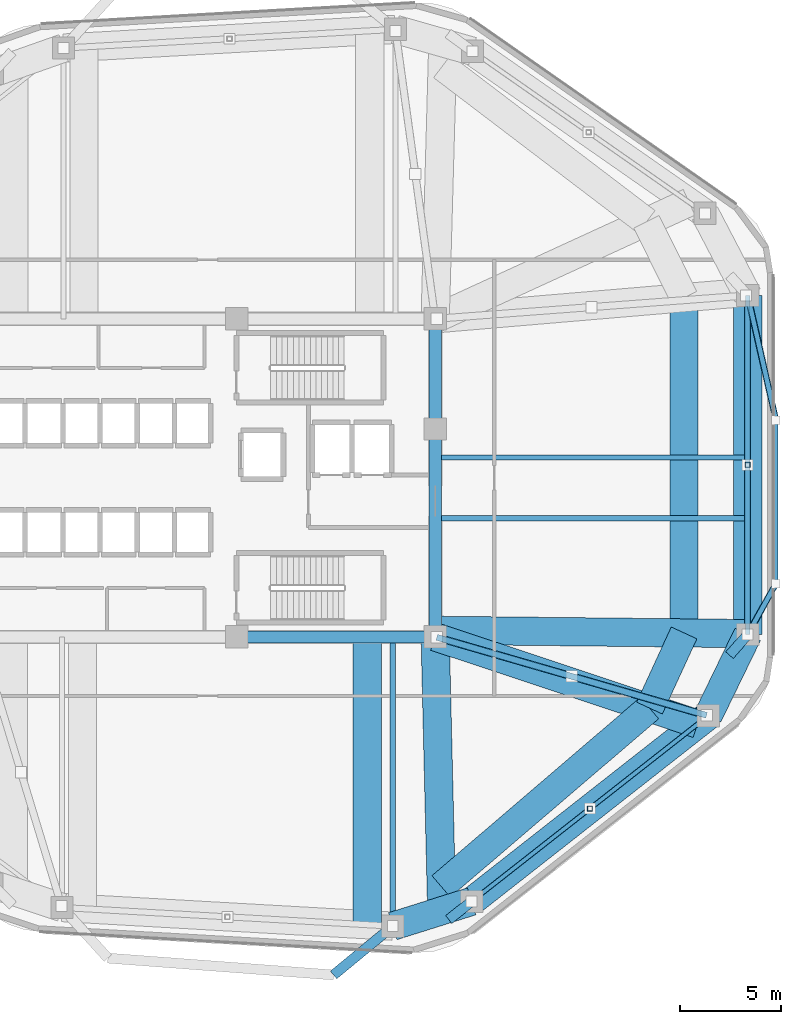
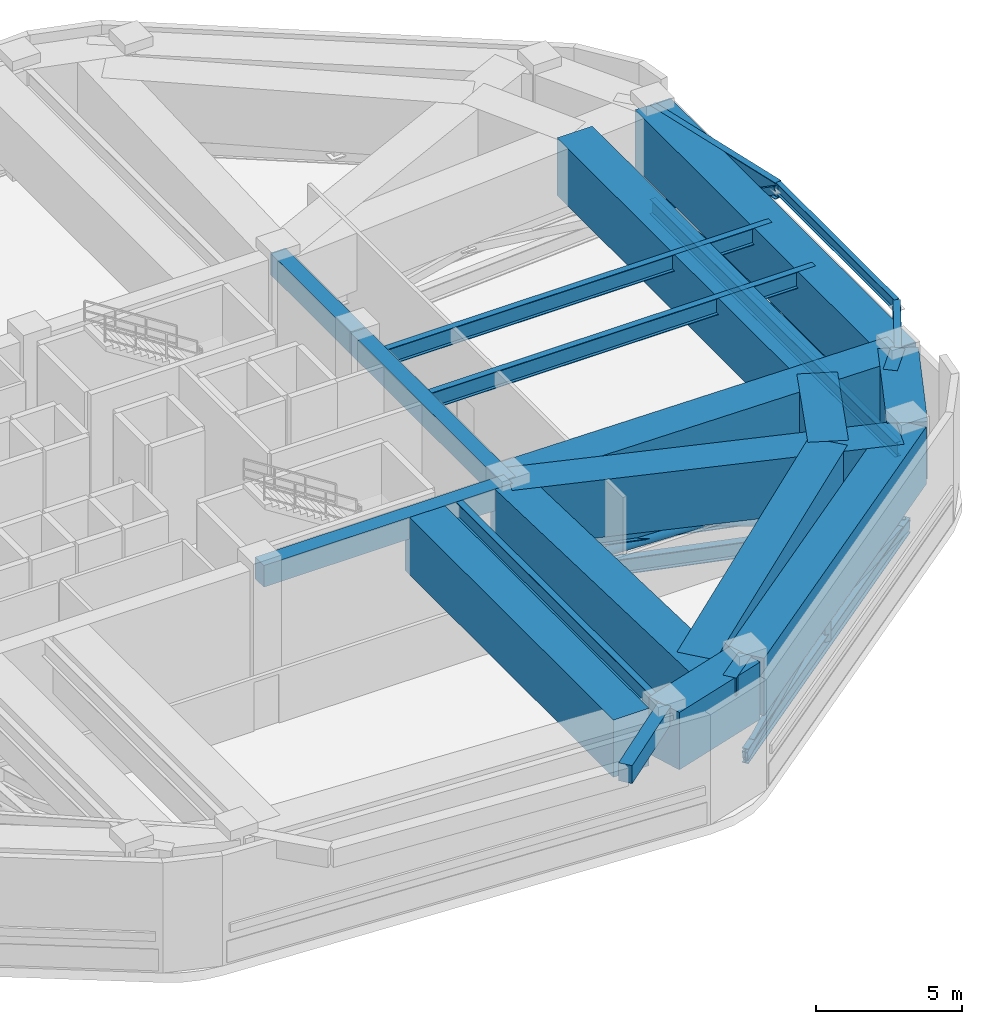
# One storey, part 4 of 12: 23 beams, 14 members.
"""IFC4 building model written with IfcOpenShell, lengths in metres."""

from ifc_helpers import new_model, si_unit, direction, frame, origin, origin_2d, place, context, subcontext, project, spatial, rectangle, hollow_rectangle, hollow_circle, i_section, extrude, material, material_profile, profile_set, type_object, element, save


model = new_model("IFC4")

# Units and contexts
model_context = context("Model", 3, precision=1e-05, world=origin(), true_north=direction((0.0, 1.0)))
body_context = subcontext(model_context, "Body", "Model", "MODEL_VIEW")
ifc_project = project(units=[si_unit("LENGTHUNIT", "METRE"), si_unit("AREAUNIT", "SQUARE_METRE"), si_unit("VOLUMEUNIT", "CUBIC_METRE"), si_unit("PLANEANGLEUNIT", "RADIAN"), si_unit("MASSUNIT", "GRAM", prefix="KILO")], contexts=[model_context])

# Site, building, storey
site_placement = place(None, origin())
site = spatial("IfcSite", under=ifc_project, at=site_placement, CompositionType="ELEMENT")
building_placement = place(site_placement, origin())
building = spatial("IfcBuilding", under=site, at=building_placement, Name="Zulverin Broadcast Headquarters", CompositionType="ELEMENT")
storey_placement = place(building_placement, frame((0.0, 0.0, 120.0)))
storey = spatial("IfcBuildingStorey", under=building, at=storey_placement, Name="L30", CompositionType="ELEMENT", Elevation=120.0)

# Beams
ifc_material_1 = material(Name="Concrete C60/75", Category="concrete")
ifc_material_profile_1 = material_profile(ifc_material_1, rectangle(XDim=0.60009765625, YDim=0.89990234375, at=origin_2d()), Name="Concrete C60/75", Category="concrete")
ifc_profile_set_1 = profile_set([ifc_material_profile_1], Name="Concrete C60/75")
beam_type_1 = type_object("IfcBeamType", Name="BM-CB-600x900", PredefinedType="LINTEL", material=ifc_profile_set_1)
beam_1_placement = place(storey_placement, frame((38.449951171875, 17.324951171875, 4.14990234375), z_axis=(1.0, 0.0, 0.0), x_axis=(0.0, 1.0, 0.0)))
element("IfcBeam", 1, at=beam_1_placement, inside=storey, type_object=beam_type_1, Name="L30 Core Coupling Girder K02-K03", PredefinedType="LINTEL", context=body_context, shape_type="SweptSolid", body=[
    extrude(rectangle(XDim=0.60009765625, YDim=0.89990234375, at=origin_2d()), origin(), (0.0, 0.0, 1.0), 9.824951171875),
])
beam_2_placement = place(storey_placement, frame((48.27490234375, 17.324951171875, 4.14990234375), z_axis=(0.0, 1.0, 0.0), x_axis=(-1.0, 0.0, 0.0)))
element("IfcBeam", 2, at=beam_2_placement, inside=storey, type_object=beam_type_1, Name="L30 Core Coupling Girder K03-K04", PredefinedType="LINTEL", context=body_context, shape_type="SweptSolid", body=[
    extrude(rectangle(XDim=0.60009765625, YDim=0.89990234375, at=origin_2d()), origin(), (0.0, 0.0, 1.0), 10.295166015625),
])
beam_3_placement = place(storey_placement, frame((48.27490234375, 27.6201171875, 4.14990234375), z_axis=(0.0, 1.0, 0.0), x_axis=(-1.0, 0.0, 0.0)))
element("IfcBeam", 3, at=beam_3_placement, inside=storey, type_object=beam_type_1, Name="L30 Core Coupling Girder K04-K05", PredefinedType="LINTEL", context=body_context, shape_type="SweptSolid", body=[
    extrude(rectangle(XDim=0.60009765625, YDim=0.89990234375, at=origin_2d()), origin(), (0.0, 0.0, 1.0), 5.454833984375),
])
ifc_material_2 = material(Name="Concrete C40/50", Category="concrete")
ifc_material_profile_2 = material_profile(ifc_material_2, rectangle(XDim=0.5, YDim=0.75, at=origin_2d()), Name="Concrete C40/50", Category="concrete")
ifc_profile_set_2 = profile_set([ifc_material_profile_2], Name="Concrete C40/50")
beam_type_2 = type_object("IfcBeamType", Name="BM-RC-500x750", PredefinedType="BEAM", material=ifc_profile_set_2)
beam_4_placement = place(storey_placement, frame((50.08056640625, 4.22509765625, 4.22509765625), z_axis=(-0.783758276537, -0.621065990021, 0.0), x_axis=(0.621065990021, -0.783758276537, 0.0)))
element("IfcBeam", 4, at=beam_4_placement, inside=storey, type_object=beam_type_2, Name="L31 Plate Overhang Back-Spanned Beam OVR-03", PredefinedType="BEAM", context=body_context, shape_type="SweptSolid", body=[
    extrude(rectangle(XDim=0.5, YDim=0.75, at=origin_2d()), origin(), (0.0, 0.0, 1.0), 1.446533203125),
])
beam_5_placement = place(storey_placement, frame((63.75, 17.439697265625, 4.22509765625), z_axis=(-0.661040159611, -0.75035052301, 0.0), x_axis=(0.75035052301, -0.661040159611, 0.0)))
element("IfcBeam", 5, at=beam_5_placement, inside=storey, type_object=beam_type_2, Name="L31 Plate Overhang Back-Spanned Beam OVR-05", PredefinedType="BEAM", context=body_context, shape_type="SweptSolid", body=[
    extrude(rectangle(XDim=0.5, YDim=0.75, at=origin_2d()), origin(), (0.0, 0.0, 1.0), 1.361328125),
])
beam_6_placement = place(storey_placement, frame((46.175048828125, 2.997802734375, 4.22509765625), z_axis=(-0.7716909374, -0.635997717869, 0.0), x_axis=(0.635997717869, -0.7716909374, 0.0)))
element("IfcBeam", 6, at=beam_6_placement, inside=storey, type_object=beam_type_2, Name="L31 Balcony Column-Framed Cantilever BAL_S-2", PredefinedType="BEAM", context=body_context, shape_type="SweptSolid", body=[
    extrude(rectangle(XDim=0.5, YDim=0.75, at=origin_2d()), origin(), (0.0, 0.0, 1.0), 3.800048828125),
])
ifc_material_profile_3 = material_profile(ifc_material_1, rectangle(XDim=1.39990234375, YDim=2.39990234375, at=origin_2d()), Name="Concrete C60/75", Category="concrete")
ifc_profile_set_3 = profile_set([ifc_material_profile_3], Name="Concrete C60/75")
beam_type_3 = type_object("IfcBeamType", Name="BM-TG-1400x2400", PredefinedType="USERDEFINED", material=ifc_profile_set_3)
beam_7_placement = place(storey_placement, frame((46.175048828125, 2.997802734375, 3.39990234375), z_axis=(0.954004438448, 0.299792480595, 0.0), x_axis=(-0.299792480595, 0.954004438448, 0.0)))
element("IfcBeam", 7, at=beam_7_placement, inside=storey, type_object=beam_type_3, Name="L30 Perimeter Transfer Ring Girder SP-02", ObjectType="TRANSFER GIRDER", PredefinedType="USERDEFINED", context=body_context, shape_type="SweptSolid", body=[
    extrude(rectangle(XDim=1.39990234375, YDim=2.39990234375, at=origin_2d()), origin(), (0.0, 0.0, 1.0), 4.09375),
])
beam_8_placement = place(storey_placement, frame((50.08056640625, 4.22509765625, 3.39990234375), z_axis=(0.786691476208, 0.617346354376, 0.0), x_axis=(-0.617346354376, 0.786691476208, 0.0)))
element("IfcBeam", 8, at=beam_8_placement, inside=storey, type_object=beam_type_3, Name="L30 Perimeter Transfer Ring Girder SP-03", ObjectType="TRANSFER GIRDER", PredefinedType="USERDEFINED", context=body_context, shape_type="SweptSolid", body=[
    extrude(rectangle(XDim=1.39990234375, YDim=2.39990234375, at=origin_2d()), origin(), (0.0, 0.0, 1.0), 14.88818359375),
])
beam_9_placement = place(storey_placement, frame((61.79296875, 13.416259765625, 3.39990234375), z_axis=(0.437408475872, 0.899262934428, 0.0), x_axis=(-0.899262934428, 0.437408475872, 0.0)))
element("IfcBeam", 9, at=beam_9_placement, inside=storey, type_object=beam_type_3, Name="L30 Perimeter Transfer Ring Girder SP-04", ObjectType="TRANSFER GIRDER", PredefinedType="USERDEFINED", context=body_context, shape_type="SweptSolid", body=[
    extrude(rectangle(XDim=1.39990234375, YDim=2.39990234375, at=origin_2d()), origin(), (0.0, 0.0, 1.0), 4.47412109375),
])
beam_10_placement = place(storey_placement, frame((63.75, 17.439697265625, 3.39990234375), z_axis=(0.0, 1.0, 0.0), x_axis=(-1.0, 0.0, 0.0)))
element("IfcBeam", 10, at=beam_10_placement, inside=storey, type_object=beam_type_3, Name="L30 Perimeter Transfer Ring Girder SP-05", ObjectType="TRANSFER GIRDER", PredefinedType="USERDEFINED", context=body_context, shape_type="SweptSolid", body=[
    extrude(rectangle(XDim=1.39990234375, YDim=2.39990234375, at=origin_2d()), origin(), (0.0, 0.0, 1.0), 16.79541015625),
])
beam_11_placement = place(storey_placement, frame((44.909912109375, 17.324951171875, 3.39990234375), z_axis=(0.0, -1.0, 0.0), x_axis=(1.0, 0.0, 0.0)))
element("IfcBeam", 11, at=beam_11_placement, inside=storey, type_object=beam_type_3, Name="L31 Step Transfer Girder TG-02", ObjectType="TRANSFER GIRDER", PredefinedType="USERDEFINED", context=body_context, shape_type="SweptSolid", body=[
    extrude(rectangle(XDim=1.39990234375, YDim=2.39990234375, at=origin_2d()), origin(), (0.0, 0.0, 1.0), 14.255615234375),
])
beam_12_placement = place(storey_placement, frame((48.27490234375, 17.324951171875, 3.39990234375), z_axis=(0.023839598125, -0.999715796395, 0.0), x_axis=(0.999715796395, 0.023839598125, 0.0)))
element("IfcBeam", 12, at=beam_12_placement, inside=storey, type_object=beam_type_3, Name="L31 Step Transfer Girder TG-03", ObjectType="TRANSFER GIRDER", PredefinedType="USERDEFINED", context=body_context, shape_type="SweptSolid", body=[
    extrude(rectangle(XDim=1.39990234375, YDim=2.39990234375, at=origin_2d()), origin(), (0.0, 0.0, 1.0), 13.5693359375),
])
beam_13_placement = place(storey_placement, frame((48.569580078125, 4.967041015625, 3.39990234375), z_axis=(0.759708170965, 0.650264173217, 0.0), x_axis=(-0.650264173217, 0.759708170965, 0.0)))
element("IfcBeam", 13, at=beam_13_placement, inside=storey, type_object=beam_type_3, Name="L31 Step Transfer Ring Girder TGR-03", ObjectType="TRANSFER GIRDER", PredefinedType="USERDEFINED", context=body_context, shape_type="SweptSolid", body=[
    extrude(rectangle(XDim=1.39990234375, YDim=2.39990234375, at=origin_2d()), origin(), (0.0, 0.0, 1.0), 13.580810546875),
])
beam_14_placement = place(storey_placement, frame((48.27490234375, 17.324951171875, 3.39990234375), z_axis=(0.948966382036, -0.315377243574, 0.0), x_axis=(0.315377243574, 0.948966382036, 0.0)))
element("IfcBeam", 14, at=beam_14_placement, inside=storey, type_object=beam_type_3, Name="L31 Step Transfer Girder TG-04", ObjectType="TRANSFER GIRDER", PredefinedType="USERDEFINED", context=body_context, shape_type="SweptSolid", body=[
    extrude(rectangle(XDim=1.39990234375, YDim=2.39990234375, at=origin_2d()), origin(), (0.0, 0.0, 1.0), 13.6943359375),
])
beam_15_placement = place(storey_placement, frame((58.886962890625, 13.798095703125, 3.39990234375), z_axis=(0.418184975358, 0.90836189175, 0.0), x_axis=(-0.90836189175, 0.418184975358, 0.0)))
element("IfcBeam", 15, at=beam_15_placement, inside=storey, type_object=beam_type_3, Name="L31 Step Transfer Ring Girder TGR-04", ObjectType="TRANSFER GIRDER", PredefinedType="USERDEFINED", context=body_context, shape_type="SweptSolid", body=[
    extrude(rectangle(XDim=1.39990234375, YDim=2.39990234375, at=origin_2d()), origin(), (0.0, 0.0, 1.0), 4.0966796875),
])
beam_16_placement = place(storey_placement, frame((48.27490234375, 17.64990234375, 3.39990234375), z_axis=(0.999943806608, -0.010601114411, 0.0), x_axis=(0.010601114411, 0.999943806608, 0.0)))
element("IfcBeam", 16, at=beam_16_placement, inside=storey, type_object=beam_type_3, Name="L31 Step Transfer Girder TG-05", ObjectType="TRANSFER GIRDER", PredefinedType="USERDEFINED", context=body_context, shape_type="SweptSolid", body=[
    extrude(rectangle(XDim=1.39990234375, YDim=2.39990234375, at=origin_2d()), origin(), (0.0, 0.0, 1.0), 15.47607421875),
])
beam_17_placement = place(storey_placement, frame((60.60009765625, 17.519287109375, 3.39990234375), z_axis=(0.0, 1.0, 0.0), x_axis=(-1.0, 0.0, 0.0)))
element("IfcBeam", 17, at=beam_17_placement, inside=storey, type_object=beam_type_3, Name="L31 Step Transfer Ring Girder TGR-05", ObjectType="TRANSFER GIRDER", PredefinedType="USERDEFINED", context=body_context, shape_type="SweptSolid", body=[
    extrude(rectangle(XDim=1.39990234375, YDim=2.39990234375, at=origin_2d()), origin(), (0.0, 0.0, 1.0), 16.602294921875),
])
ifc_material_3 = material(Name="Structural steel S355JR", Category="steel")
ifc_material_profile_4 = material_profile(ifc_material_3, i_section(OverallWidth=0.19287109375, OverallDepth=0.46728515625, WebThickness=0.011474609375, FlangeThickness=0.01953125, at=origin_2d()), Name="Structural steel S355JR", Category="steel")
ifc_profile_set_4 = profile_set([ifc_material_profile_4], Name="Structural steel S355JR")
beam_type_4 = type_object("IfcBeamType", Name="BM-UB-457", PredefinedType="JOIST", material=ifc_profile_set_4)
beam_18_placement = place(storey_placement, frame((65.14990234375, 19.9599609375, 4.366455078125), z_axis=(0.0, 1.0, 0.0), x_axis=(-1.0, 0.0, 0.0)))
element("IfcBeam", 18, at=beam_18_placement, inside=storey, type_object=beam_type_4, Name="L31 Studio Box Base Edge Beam SBOX_SKY1_E", PredefinedType="JOIST", context=body_context, shape_type="SweptSolid", body=[
    extrude(i_section(OverallWidth=0.19287109375, OverallDepth=0.46728515625, WebThickness=0.011474609375, FlangeThickness=0.01953125, at=origin_2d()), origin(), (0.0, 0.0, 1.0), 8.10009765625),
])
ifc_material_profile_5 = material_profile(ifc_material_3, i_section(OverallWidth=0.255859375, OverallDepth=0.69287109375, WebThickness=0.014404296875, FlangeThickness=0.023681640625, at=origin_2d()), Name="Structural steel S355JR", Category="steel")
ifc_profile_set_5 = profile_set([ifc_material_profile_5], Name="Structural steel S355JR")
beam_type_5 = type_object("IfcBeamType", Name="BM-UB-686", PredefinedType="BEAM", material=ifc_profile_set_5)
beam_19_placement = place(storey_placement, frame((46.175048828125, 17.324951171875, 4.25341796875), z_axis=(0.0, -1.0, 0.0), x_axis=(1.0, 0.0, 0.0)))
element("IfcBeam", 19, at=beam_19_placement, inside=storey, type_object=beam_type_5, Name="L30 Radial Primary Floor Beam RB-02", PredefinedType="BEAM", context=body_context, shape_type="SweptSolid", body=[
    extrude(i_section(OverallWidth=0.255859375, OverallDepth=0.69287109375, WebThickness=0.014404296875, FlangeThickness=0.023681640625, at=origin_2d()), origin(), (0.0, 0.0, 1.0), 14.3271484375),
])
beam_20_placement = place(storey_placement, frame((63.75, 17.439697265625, 4.25341796875), z_axis=(0.485578218468, 0.874193224493, 0.0), x_axis=(-0.874193224493, 0.485578218468, 0.0)))
element("IfcBeam", 20, at=beam_20_placement, inside=storey, type_object=beam_type_5, Name="L31 Studio Box Base Cantilever Girder SBOX_SKY1_E-1", PredefinedType="BEAM", context=body_context, shape_type="SweptSolid", body=[
    extrude(i_section(OverallWidth=0.255859375, OverallDepth=0.69287109375, WebThickness=0.014404296875, FlangeThickness=0.023681640625, at=origin_2d()), origin(), (0.0, 0.0, 1.0), 2.883056640625),
])
beam_21_placement = place(storey_placement, frame((63.75, 34.235107421875, 4.25341796875), z_axis=(0.221092770573, -0.975252780975, 0.0), x_axis=(0.975252780975, 0.221092770573, 0.0)))
element("IfcBeam", 21, at=beam_21_placement, inside=storey, type_object=beam_type_5, Name="L31 Studio Box Base Cantilever Girder SBOX_SKY1_E-2", PredefinedType="BEAM", context=body_context, shape_type="SweptSolid", body=[
    extrude(i_section(OverallWidth=0.255859375, OverallDepth=0.69287109375, WebThickness=0.014404296875, FlangeThickness=0.023681640625, at=origin_2d()), origin(), (0.0, 0.0, 1.0), 6.331787109375),
])
for number, where, z_axis, x_axis, name in (
    (22, (48.050048828125, 23.199951171875, 4.25341796875), (1.0, 0.0, 0.0), (0.0, 1.0, 0.0), "L31 Sky Stair Support Span Girder 1"),
    (23, (48.050048828125, 26.199951171875, 4.25341796875), (1.0, 0.0, 0.0), (0.0, 1.0, 0.0), "L31 Sky Stair Support Span Girder 2"),
):
    element("IfcBeam", number, at=place(storey_placement, frame(where, z_axis=z_axis, x_axis=x_axis)), inside=storey, type_object=beam_type_5, Name=name, PredefinedType="BEAM", context=body_context, shape_type="SweptSolid", body=[
        extrude(i_section(OverallWidth=0.255859375, OverallDepth=0.69287109375, WebThickness=0.014404296875, FlangeThickness=0.023681640625, at=origin_2d()), origin(), (0.0, 0.0, 1.0), 15.699951171875),
    ])

# Members
ifc_material_profile_6 = material_profile(ifc_material_3, i_section(OverallWidth=0.230224609375, OverallDepth=0.6171875, WebThickness=0.01318359375, FlangeThickness=0.022216796875, at=origin_2d()), Name="Structural steel S355JR", Category="steel")
ifc_profile_set_6 = profile_set([ifc_material_profile_6], Name="Structural steel S355JR")
member_type_1 = type_object("IfcMemberType", Name="MBR-BLT-CHORD", PredefinedType="CHORD", material=ifc_profile_set_6)
member_1_placement = place(storey_placement, frame((50.08056640625, 4.22509765625, 0.35009765625), z_axis=(0.786691476208, 0.617346354376, 0.0), x_axis=(-0.617346354376, 0.786691476208, 0.0)))
element("IfcMember", 24, at=member_1_placement, inside=storey, type_object=member_type_1, Name="L30 Belt Truss Bottom Chord BC-02", PredefinedType="CHORD", context=body_context, shape_type="SweptSolid", body=[
    extrude(i_section(OverallWidth=0.230224609375, OverallDepth=0.6171875, WebThickness=0.01318359375, FlangeThickness=0.022216796875, at=origin_2d()), origin(), (0.0, 0.0, 1.0), 14.88818359375),
])
member_2_placement = place(storey_placement, frame((63.75, 17.439697265625, 0.35009765625), z_axis=(0.0, 1.0, 0.0), x_axis=(-1.0, 0.0, 0.0)))
element("IfcMember", 25, at=member_2_placement, inside=storey, type_object=member_type_1, Name="L30 Belt Truss Bottom Chord BC-03", PredefinedType="CHORD", context=body_context, shape_type="SweptSolid", body=[
    extrude(i_section(OverallWidth=0.230224609375, OverallDepth=0.6171875, WebThickness=0.01318359375, FlangeThickness=0.022216796875, at=origin_2d()), origin(), (0.0, 0.0, 1.0), 16.79541015625),
])
ifc_material_profile_7 = material_profile(ifc_material_3, hollow_rectangle(XDim=0.300048828125, YDim=0.300048828125, WallThickness=0.01611328125, at=origin_2d()), Name="Structural steel S355JR", Category="steel")
ifc_profile_set_7 = profile_set([ifc_material_profile_7], Name="Structural steel S355JR")
member_type_2 = type_object("IfcMemberType", Name="MBR-BLT-DIAG1", PredefinedType="BRACE", material=ifc_profile_set_7)
member_3_placement = place(storey_placement, frame((63.75, 17.439697265625, 0.35009765625), z_axis=(0.286269799948, 0.51537550486, 0.807736151616), x_axis=(-0.874193224493, 0.485578218468, 0.0)))
element("IfcMember", 26, at=member_3_placement, inside=storey, type_object=member_type_2, Name="L31 Studio Box Base Knee Brace SBOX_SKY1_E-1", PredefinedType="BRACE", context=body_context, shape_type="SweptSolid", body=[
    extrude(hollow_rectangle(XDim=0.300048828125, YDim=0.300048828125, WallThickness=0.01611328125, at=origin_2d()), origin(), (0.0, 0.0, 1.0), 4.89013671875),
])
member_4_placement = place(storey_placement, frame((63.75, 34.235107421875, 0.35009765625), z_axis=(0.187584593235, -0.827446305666, 0.529286908606), x_axis=(0.975252780975, 0.221092770573, 0.0)))
element("IfcMember", 27, at=member_4_placement, inside=storey, type_object=member_type_2, Name="L31 Studio Box Base Knee Brace SBOX_SKY1_E-2", PredefinedType="BRACE", context=body_context, shape_type="SweptSolid", body=[
    extrude(hollow_rectangle(XDim=0.300048828125, YDim=0.300048828125, WallThickness=0.01611328125, at=origin_2d()), origin(), (0.0, 0.0, 1.0), 7.462890625),
])
for number, where, z_axis, x_axis, name in (
    (28, (63.75, 17.439697265625, 0.35009765625), (0.0, 0.987692553237, 0.156407865148), (-1.0, 0.0, 0.0), "L30 Belt Truss Diagonal Brace BD-03A"),
    (29, (63.75, 34.235107421875, 0.35009765625), (0.0, -0.987692553237, 0.156407865148), (1.0, 0.0, 0.0), "L30 Belt Truss Diagonal Brace BD-03B"),
):
    element("IfcMember", number, at=place(storey_placement, frame(where, z_axis=z_axis, x_axis=x_axis)), inside=storey, type_object=member_type_2, Name=name, PredefinedType="BRACE", context=body_context, shape_type="SweptSolid", body=[
        extrude(hollow_rectangle(XDim=0.300048828125, YDim=0.300048828125, WallThickness=0.01611328125, at=origin_2d()), origin(), (0.0, 0.0, 1.0), 8.50244140625),
    ])
ifc_material_profile_8 = material_profile(ifc_material_3, hollow_rectangle(XDim=0.199951171875, YDim=0.39990234375, WallThickness=0.01611328125, at=origin_2d()), Name="Structural steel S355JR", Category="steel")
ifc_profile_set_8 = profile_set([ifc_material_profile_8], Name="Structural steel S355JR")
member_type_3 = type_object("IfcMemberType", Name="MBR-BLT-DIAG2", PredefinedType="BRACE", material=ifc_profile_set_8)
member_5_placement = place(storey_placement, frame((50.08056640625, 4.22509765625, 0.35009765625), z_axis=(0.774423598007, 0.607735432063, 0.175857145051), x_axis=(-0.617356502851, 0.786683512213, 0.0)))
element("IfcMember", 30, at=member_5_placement, inside=storey, type_object=member_type_3, Name="L30 Belt Truss Diagonal Brace BD-02A", PredefinedType="BRACE", context=body_context, shape_type="SweptSolid", body=[
    extrude(hollow_rectangle(XDim=0.199951171875, YDim=0.39990234375, WallThickness=0.01611328125, at=origin_2d()), origin(), (0.0, 0.0, 1.0), 7.56201171875),
])
member_6_placement = place(storey_placement, frame((61.79296875, 13.416259765625, 0.35009765625), z_axis=(-0.774438792878, -0.607715070594, 0.175860595523), x_axis=(0.617336205592, -0.786699440235, 0.0)))
element("IfcMember", 31, at=member_6_placement, inside=storey, type_object=member_type_3, Name="L30 Belt Truss Diagonal Brace BD-02B", PredefinedType="BRACE", context=body_context, shape_type="SweptSolid", body=[
    extrude(hollow_rectangle(XDim=0.199951171875, YDim=0.39990234375, WallThickness=0.01611328125, at=origin_2d()), origin(), (0.0, 0.0, 1.0), 7.561767578125),
])
ifc_material_profile_9 = material_profile(ifc_material_3, hollow_rectangle(XDim=0.25, YDim=0.25, WallThickness=0.01611328125, at=origin_2d()), Name="Structural steel S355JR", Category="steel")
ifc_profile_set_9 = profile_set([ifc_material_profile_9], Name="Structural steel S355JR")
member_type_4 = type_object("IfcMemberType", Name="MBR-BLT-POST", PredefinedType="POST", material=ifc_profile_set_9)
for number, where, z_axis, x_axis, name in (
    (32, (55.936767578125, 8.82080078125, 0.35009765625), (0.0, 0.0, 1.0), (1.0, 0.0, 0.0), "L30 Belt Truss King Post BP-02"),
    (33, (63.75, 25.83740234375, 0.35009765625), (0.0, 0.0, 1.0), (1.0, 0.0, 0.0), "L30 Belt Truss King Post BP-03"),
):
    element("IfcMember", number, at=place(storey_placement, frame(where, z_axis=z_axis, x_axis=x_axis)), inside=storey, type_object=member_type_4, Name=name, PredefinedType="POST", context=body_context, shape_type="SweptSolid", body=[
        extrude(hollow_rectangle(XDim=0.25, YDim=0.25, WallThickness=0.01611328125, at=origin_2d()), origin(), (0.0, 0.0, 1.0), 1.329833984375),
    ])
ifc_material_4 = material(Name="Structural steel S460M", Category="steel")
ifc_material_profile_10 = material_profile(ifc_material_4, i_section(OverallWidth=0.300048828125, OverallDepth=0.64990234375, WebThickness=0.01611328125, FlangeThickness=0.031005859375, at=origin_2d()), Name="Structural steel S460M", Category="steel")
ifc_profile_set_10 = profile_set([ifc_material_profile_10], Name="Structural steel S460M")
member_type_5 = type_object("IfcMemberType", Name="MBR-OUT-CHORD", PredefinedType="CHORD", material=ifc_profile_set_10)
for number, where, z_axis, x_axis, name in (
    (34, (48.351806640625, 17.302734375, 0.35009765625), (0.960647605536, -0.277770009142, 0.0), (0.277770009142, 0.960647605536, 0.0), "L30 Outrigger Truss Bottom Chord OC-02"),
    (35, (48.351806640625, 17.302734375, 1.679931640625), (0.960647605536, -0.277770009142, 0.0), (0.277770009142, 0.960647605536, 0.0), "L30 Outrigger Truss Upper Chord OTC-02"),
):
    element("IfcMember", number, at=place(storey_placement, frame(where, z_axis=z_axis, x_axis=x_axis)), inside=storey, type_object=member_type_5, Name=name, PredefinedType="CHORD", context=body_context, shape_type="SweptSolid", body=[
        extrude(i_section(OverallWidth=0.300048828125, OverallDepth=0.64990234375, WebThickness=0.01611328125, FlangeThickness=0.031005859375, at=origin_2d()), origin(), (0.0, 0.0, 1.0), 13.91162109375),
    ])
ifc_material_profile_11 = material_profile(ifc_material_4, hollow_circle(Radius=0.177734375, WallThickness=0.01611328125, at=origin_2d()), Name="Structural steel S460M", Category="steel")
ifc_profile_set_11 = profile_set([ifc_material_profile_11], Name="Structural steel S460M")
member_type_6 = type_object("IfcMemberType", Name="MBR-OUT-DIAG2", PredefinedType="BRACE", material=ifc_profile_set_11)
for number, where, z_axis, x_axis, name in (
    (36, (48.351806640625, 17.302734375, 0.35009765625), (0.943558586479, -0.272828741447, 0.18778091416), (0.277770009142, 0.960647605536, 0.0), "L30 Outrigger Truss Diagonal Brace OD-02A"),
    (37, (61.716064453125, 13.4384765625, 0.35009765625), (-0.943558586479, 0.272828741447, 0.18778091416), (-0.277770009142, -0.960647605536, 0.0), "L30 Outrigger Truss Diagonal Brace OD-02B"),
):
    element("IfcMember", number, at=place(storey_placement, frame(where, z_axis=z_axis, x_axis=x_axis)), inside=storey, type_object=member_type_6, Name=name, PredefinedType="BRACE", context=body_context, shape_type="SweptSolid", body=[
        extrude(hollow_circle(Radius=0.177734375, WallThickness=0.01611328125, at=origin_2d()), origin(), (0.0, 0.0, 1.0), 7.081787109375),
    ])

save(model, "model.ifc")
